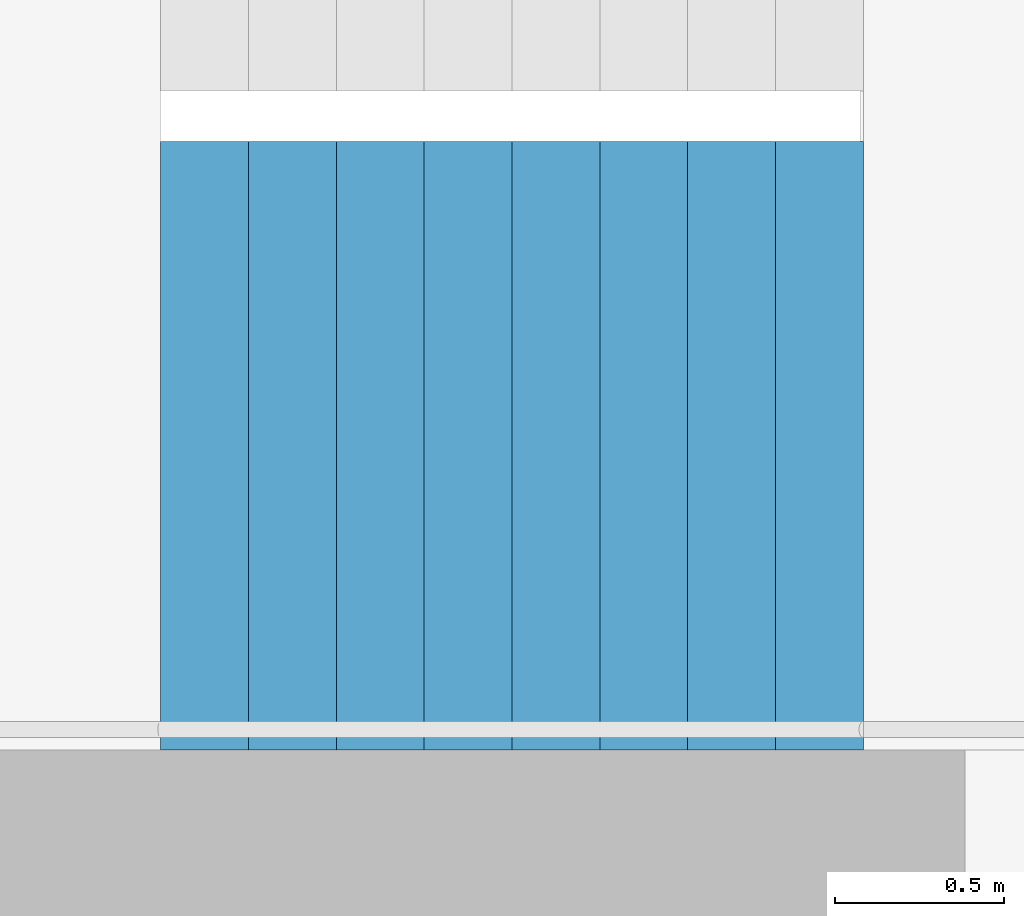
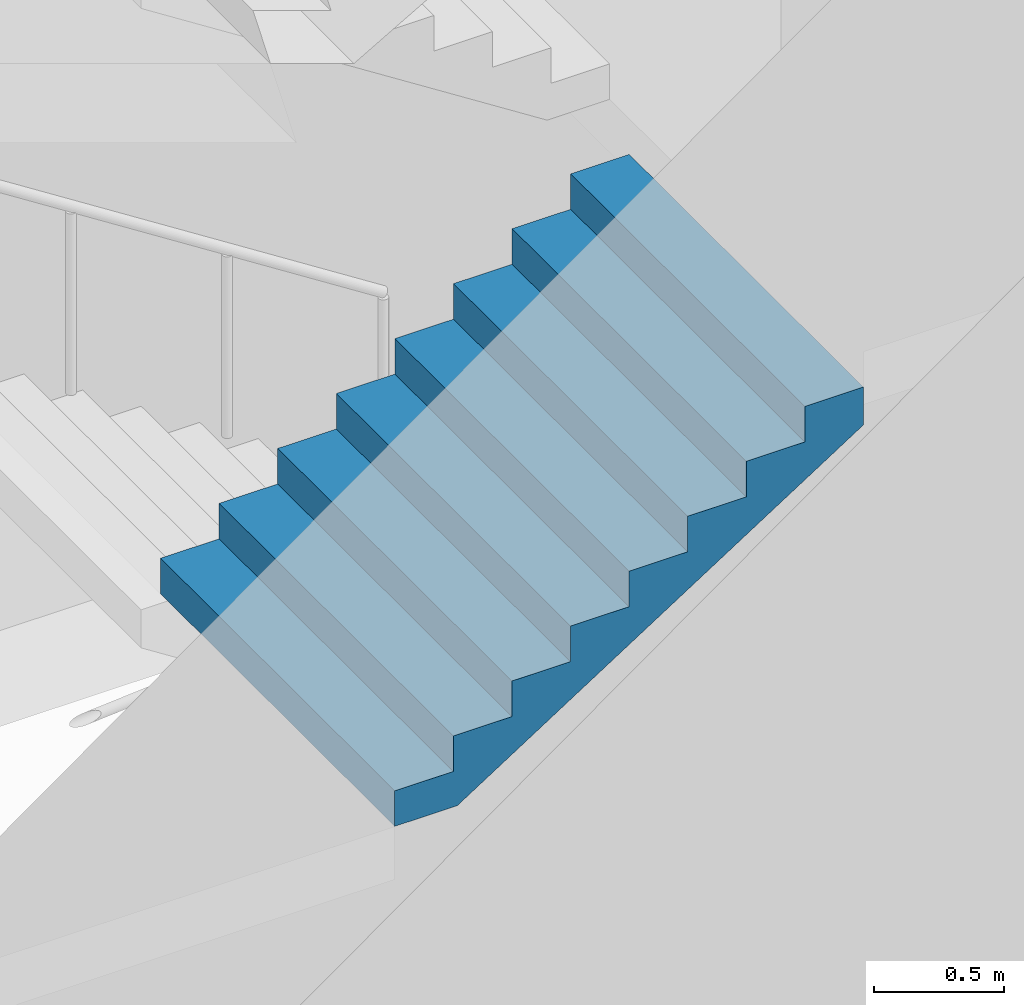
# One storey, part 18 of 35: 1 stair flight, 1 element without a shape of its own.
"""IFC4 building model written with IfcOpenShell, lengths in metres."""

import ifcopenshell
import ifcopenshell.guid

model = None  # the IFC model being written
_history = None  # IfcOwnerHistory: only IFC2X3 demands one
_inside = {}  # id of a spatial element -> (the spatial element, [elements in it])
_under = {}  # id of a project, library or spatial element -> (it, [spatial elements below it])
_declared = {}  # id of a project -> (the project, [libraries it declares])
_typed = {}  # id of a type object -> (the type object, [elements of that type])
_made_of = {}  # id of a material, layer set ... -> (it, [elements and type objects made of it])


def new_model(schema):
    """Start an empty IFC model of exactly this schema.

    Asked for "IFC4X3", IfcOpenShell would pick the latest addendum, in which some entities
    have other attributes; the version numbers below select the first issue.
    IFC2X3 requires an IfcOwnerHistory on every rooted entity: one is made here for all.
    """
    global model, _history
    if schema == "IFC4X3":
        model = ifcopenshell.file(schema_version=(4, 3, 0, 0))
    else:
        model = ifcopenshell.file(schema=schema)
    _inside.clear()
    _under.clear()
    _declared.clear()
    _typed.clear()
    _made_of.clear()
    _history = None
    if model.schema == "IFC2X3":
        org = make("IfcOrganization", Name="unknown")
        user = make(
            "IfcPersonAndOrganization",
            ThePerson=make("IfcPerson", FamilyName="unknown"),
            TheOrganization=org,
        )
        app = make(
            "IfcApplication",
            ApplicationDeveloper=org,
            Version="unknown",
            ApplicationFullName="unknown",
            ApplicationIdentifier="unknown",
        )
        _history = make(
            "IfcOwnerHistory",
            OwningUser=user,
            OwningApplication=app,
            ChangeAction="ADDED",
            CreationDate=0,
        )
    return model


def make(cls, **values):
    """One entity of the class cls with the attributes given. An attribute that is None is left unset."""
    return model.create_entity(
        cls, **{name: value for name, value in values.items() if value is not None}
    )


def rooted(cls, **values):
    """An entity with a GlobalId (a new one), such as an element, a storey or a relation."""
    return make(cls, GlobalId=ifcopenshell.guid.new(), OwnerHistory=_history, **values)


def si_unit(unit_type, name, prefix=None):
    """IfcSIUnit, for example si_unit("LENGTHUNIT", "METRE", prefix="MILLI")."""
    return make("IfcSIUnit", UnitType=unit_type, Prefix=prefix, Name=name)


def assignment(units):
    """IfcUnitAssignment: the units of a project."""
    return None if units is None else make("IfcUnitAssignment", Units=units)


def point(xyz):
    """IfcCartesianPoint."""
    return None if xyz is None else make("IfcCartesianPoint", Coordinates=xyz)


def direction(xyz):
    """IfcDirection."""
    return None if xyz is None else make("IfcDirection", DirectionRatios=xyz)


def frame(location, z_axis=None, x_axis=None):
    """IfcAxis2Placement3D, a coordinate frame: its origin and axes. An axis left out is left unset."""
    return make(
        "IfcAxis2Placement3D",
        Location=point(location),
        Axis=direction(z_axis),
        RefDirection=direction(x_axis),
    )


def origin():
    """The frame at (0, 0, 0) with its axes left unset."""
    return frame((0.0, 0.0, 0.0))


def place(relative_to, where):
    """IfcLocalPlacement: puts the frame where relative to a parent placement (None: the world)."""
    return make(
        "IfcLocalPlacement", PlacementRelTo=relative_to, RelativePlacement=where
    )


def context(
    kind, dimensions, precision=None, world=None, true_north=None, identifier=None
):
    """IfcGeometricRepresentationContext, for example the 3D "Model" context."""
    return make(
        "IfcGeometricRepresentationContext",
        ContextIdentifier=identifier,
        ContextType=kind,
        CoordinateSpaceDimension=dimensions,
        Precision=precision,
        WorldCoordinateSystem=world,
        TrueNorth=true_north,
    )


def subcontext(parent, identifier, kind, view, scale=None):
    """IfcGeometricRepresentationSubContext, for example "Body" below "Model"."""
    return make(
        "IfcGeometricRepresentationSubContext",
        ContextIdentifier=identifier,
        ContextType=kind,
        ParentContext=parent,
        TargetScale=scale,
        TargetView=view,
    )


def project(units=None, contexts=None):
    """IfcProject with its units and contexts."""
    return rooted(
        "IfcProject",
        Name="project",
        RepresentationContexts=contexts,
        UnitsInContext=assignment(units),
    )


def spatial(cls, under=None, at=None, **own):
    """A site, building, storey or space (cls), placed at a placement, below another one or the project."""
    s = rooted(cls, ObjectPlacement=at, **own)
    if under is not None:
        _under.setdefault(under.id(), (under, []))[1].append(s)
    return s


def point_list(points):
    """IfcCartesianPointList2D or 3D."""
    cls = (
        "IfcCartesianPointList2D" if len(points[0]) == 2 else "IfcCartesianPointList3D"
    )
    return make(cls, CoordList=points)


def triangles(points, corners, closed=None, point_numbers=None):
    """IfcTriangulatedFaceSet: each triangle names its three corners, points numbered from 1."""
    return make(
        "IfcTriangulatedFaceSet",
        Coordinates=point_list(points),
        Closed=closed,
        CoordIndex=corners,
        PnIndex=point_numbers,
    )


def shape(context_of_items, identifier, shape_type, items):
    """IfcShapeRepresentation: the items that make up one representation, for example the "Body"."""
    return make(
        "IfcShapeRepresentation",
        ContextOfItems=context_of_items,
        RepresentationIdentifier=identifier,
        RepresentationType=shape_type,
        Items=items,
    )


def material(Name=None, Category=None):
    """IfcMaterial."""
    return make("IfcMaterial", Name=Name, Category=Category)


def made_of(thing, what):
    """Note that an element or type object is made of a material, layer set ...; save() writes the relation."""
    if what is not None:
        _made_of.setdefault(what.id(), (what, []))[1].append(thing)
    return thing


def type_object(cls, material=None, **own):
    """A type object (cls), such as IfcWallType, which elements share."""
    return made_of(rooted(cls, **own), material)


def element(
    cls,
    number,
    at=None,
    inside=None,
    cuts=None,
    type_object=None,
    material=None,
    context=None,
    identifier="Body",
    shape_type=None,
    held_by="IfcProductDefinitionShape",
    body=None,
    shapes=None,
    **own,
):
    """One element of the class cls, such as IfcWall. Its Tag is "e" and its number.

    at: its placement. inside: the storey or other place that contains it. cuts: it is an
    opening in that element (IfcRelVoidsElement). A single representation is given by context,
    identifier, shape_type and body (its items); several are given by shapes. held_by: the class
    of the entity that holds the representations. save() writes the other relations.
    """
    e = rooted(cls, Tag="e%d" % number, ObjectPlacement=at, **own)
    if body is not None:
        shapes = [shape(context, identifier, shape_type, body)]
    if shapes is not None:
        e.Representation = make(held_by, Representations=shapes)
    if inside is not None:
        _inside.setdefault(inside.id(), (inside, []))[1].append(e)
    if cuts is not None:
        rooted(
            "IfcRelVoidsElement", RelatingBuildingElement=cuts, RelatedOpeningElement=e
        )
    if type_object is not None:
        _typed.setdefault(type_object.id(), (type_object, []))[1].append(e)
    return made_of(e, material)


def aggregate(whole, parts):
    """IfcRelAggregates: a whole, such as a stair, and the parts it consists of."""
    return rooted("IfcRelAggregates", RelatingObject=whole, RelatedObjects=parts)


def save(model, path):
    """Write the relations noted so far, then the file.

    IfcRelAggregates (storeys below a building ...), IfcRelContainedInSpatialStructure (elements
    in a storey), IfcRelDefinesByType, IfcRelAssociatesMaterial and IfcRelDeclares: one each for
    every whole, place, type object, material and project.
    """
    for whole, parts in _under.values():
        aggregate(whole, parts)
    for where, things in _inside.values():
        rooted(
            "IfcRelContainedInSpatialStructure",
            RelatedElements=things,
            RelatingStructure=where,
        )
    for kind, things in _typed.values():
        rooted("IfcRelDefinesByType", RelatedObjects=things, RelatingType=kind)
    for what, things in _made_of.values():
        rooted("IfcRelAssociatesMaterial", RelatedObjects=things, RelatingMaterial=what)
    for by, libraries in _declared.values():
        rooted("IfcRelDeclares", RelatingContext=by, RelatedDefinitions=libraries)
    model.write(path)


model = new_model("IFC4")

# Units and contexts
model_context = context("Model", 3, precision=1e-05, world=origin(), true_north=direction((0.0, 1.0)))
body_context = subcontext(model_context, "Body", "Model", "MODEL_VIEW")
ifc_project = project(units=[si_unit("LENGTHUNIT", "METRE"), si_unit("AREAUNIT", "SQUARE_METRE"), si_unit("VOLUMEUNIT", "CUBIC_METRE"), si_unit("PLANEANGLEUNIT", "RADIAN"), si_unit("MASSUNIT", "GRAM", prefix="KILO")], contexts=[model_context])

# Site, building, storey
site_placement = place(None, origin())
site = spatial("IfcSite", under=ifc_project, at=site_placement, CompositionType="ELEMENT")
building_placement = place(site_placement, origin())
building = spatial("IfcBuilding", under=site, at=building_placement, Name="Hakoniwa Tower and Hamabe Station Hall", CompositionType="ELEMENT")
storey_placement = place(building_placement, frame((0.0, 0.0, 270.60009765625)))
storey = spatial("IfcBuildingStorey", under=building, at=storey_placement, Name="L76", CompositionType="ELEMENT", Elevation=270.60009765625)

# Stair, stair flight
ifc_material_1 = material(Name="Concrete C40", Category="concrete")
stair_type = type_object("IfcStairType", Name="ESCAPE STAIR 1800", PredefinedType="HALF_TURN_STAIR", material=ifc_material_1)
stair_placement = place(storey_placement, origin())
stair = element("IfcStair", 1, at=stair_placement, inside=storey, type_object=stair_type, Name="Escape stair ST-2 L76", PredefinedType="HALF_TURN_STAIR")
ifc_material_2 = material(Name="Concrete C40", Category="concrete")
stair_flight_type = type_object("IfcStairFlightType", Name="STAIR FLIGHT 1800", PredefinedType="STRAIGHT", material=ifc_material_2)
stair_flight_placement = place(storey_placement, frame((-25.47998046875, -6.60009765625, 1.5), z_axis=(0.0, 0.0, 1.0), x_axis=(1.0, 0.0, 0.0)))
stair_flight = element("IfcStairFlight", 2, at=stair_flight_placement, type_object=stair_flight_type, Name="ST-2 flight 2", NumberOfRisers=9, NumberOfTreads=8, PredefinedType="STRAIGHT", RiserHeight=0.166666667, TreadLength=0.26, context=body_context, shape_type="Tessellation", body=[
    triangles([(0.0, 0.89990234375, 0.0), (0.260009765625, 0.89990234375, 0.0), (0.27783203125, 0.89990234375, 0.0), (0.52001953125, 0.89990234375, 0.1552734375), (0.780029296875, 0.89990234375, 0.322021484375), (1.0400390625, 0.89990234375, 0.488525390625), (1.300048828125, 0.89990234375, 0.6552734375), (1.56005859375, 0.89990234375, 0.822021484375), (1.820068359375, 0.89990234375, 0.988525390625), (2.080078125, 0.89990234375, 1.1552734375), (2.080078125, 0.89990234375, 1.333251953125), (1.820068359375, 0.89990234375, 1.333251953125), (1.820068359375, 0.89990234375, 1.166748046875), (1.56005859375, 0.89990234375, 1.166748046875), (1.56005859375, 0.89990234375, 1.0), (1.300048828125, 0.89990234375, 1.0), (1.300048828125, 0.89990234375, 0.833251953125), (1.0400390625, 0.89990234375, 0.833251953125), (1.0400390625, 0.89990234375, 0.666748046875), (0.780029296875, 0.89990234375, 0.666748046875), (0.780029296875, 0.89990234375, 0.5), (0.52001953125, 0.89990234375, 0.5), (0.52001953125, 0.89990234375, 0.333251953125), (0.27783203125, 0.89990234375, 0.333251953125), (0.260009765625, 0.89990234375, 0.333251953125), (0.260009765625, 0.89990234375, 0.166748046875), (0.0, 0.89990234375, 0.166748046875), (0.0, 0.06005859375, 0.0), (0.260009765625, 0.06005859375, 0.0), (0.27783203125, 0.06005859375, 0.0), (0.52001953125, 0.06005859375, 0.1552734375), (0.780029296875, 0.06005859375, 0.322021484375), (1.0400390625, 0.06005859375, 0.488525390625), (1.300048828125, 0.06005859375, 0.6552734375), (1.56005859375, 0.06005859375, 0.822021484375), (1.820068359375, 0.06005859375, 0.988525390625), (2.080078125, 0.06005859375, 1.1552734375), (2.080078125, 0.06005859375, 1.333251953125), (1.820068359375, 0.06005859375, 1.333251953125), (1.820068359375, 0.06005859375, 1.166748046875), (1.56005859375, 0.06005859375, 1.166748046875), (1.56005859375, 0.06005859375, 1.0), (1.300048828125, 0.06005859375, 1.0), (1.300048828125, 0.06005859375, 0.833251953125), (1.0400390625, 0.06005859375, 0.833251953125), (1.0400390625, 0.06005859375, 0.666748046875), (0.780029296875, 0.06005859375, 0.666748046875), (0.780029296875, 0.06005859375, 0.5), (0.52001953125, 0.06005859375, 0.5), (0.52001953125, 0.06005859375, 0.333251953125), (0.27783203125, 0.06005859375, 0.333251953125), (0.260009765625, 0.06005859375, 0.333251953125), (0.260009765625, 0.06005859375, 0.166748046875), (0.0, 0.06005859375, 0.166748046875), (0.0, 0.04296875, 0.0), (0.260009765625, 0.04296875, 0.0), (0.27783203125, 0.04296875, 0.0), (0.52001953125, 0.04296875, 0.1552734375), (0.780029296875, 0.04296875, 0.322021484375), (1.0400390625, 0.04296875, 0.488525390625), (1.300048828125, 0.04296875, 0.6552734375), (1.56005859375, 0.04296875, 0.822021484375), (1.820068359375, 0.04296875, 0.988525390625), (2.080078125, 0.04296875, 1.1552734375), (2.080078125, 0.04296875, 1.333251953125), (1.820068359375, 0.04296875, 1.333251953125), (1.820068359375, 0.04296875, 1.166748046875), (1.56005859375, 0.04296875, 1.166748046875), (1.56005859375, 0.04296875, 1.0), (1.300048828125, 0.04296875, 1.0), (1.300048828125, 0.04296875, 0.833251953125), (1.0400390625, 0.04296875, 0.833251953125), (1.0400390625, 0.04296875, 0.666748046875), (0.780029296875, 0.04296875, 0.666748046875), (0.780029296875, 0.04296875, 0.5), (0.52001953125, 0.04296875, 0.5), (0.52001953125, 0.04296875, 0.333251953125), (0.27783203125, 0.04296875, 0.333251953125), (0.260009765625, 0.04296875, 0.333251953125), (0.260009765625, 0.04296875, 0.166748046875), (0.0, 0.04296875, 0.166748046875), (0.0, 0.025634765625, 0.0), (0.260009765625, 0.025634765625, 0.0), (0.27783203125, 0.025634765625, 0.0), (0.52001953125, 0.025634765625, 0.1552734375), (0.780029296875, 0.025634765625, 0.322021484375), (1.0400390625, 0.025634765625, 0.488525390625), (1.300048828125, 0.025634765625, 0.6552734375), (1.56005859375, 0.025634765625, 0.822021484375), (1.820068359375, 0.025634765625, 0.988525390625), (2.080078125, 0.025634765625, 1.1552734375), (2.080078125, 0.025634765625, 1.333251953125), (1.820068359375, 0.025634765625, 1.333251953125), (1.820068359375, 0.025634765625, 1.166748046875), (1.56005859375, 0.025634765625, 1.166748046875), (1.56005859375, 0.025634765625, 1.0), (1.300048828125, 0.025634765625, 1.0), (1.300048828125, 0.025634765625, 0.833251953125), (1.0400390625, 0.025634765625, 0.833251953125), (1.0400390625, 0.025634765625, 0.666748046875), (0.780029296875, 0.025634765625, 0.666748046875), (0.780029296875, 0.025634765625, 0.5), (0.52001953125, 0.025634765625, 0.5), (0.52001953125, 0.025634765625, 0.333251953125), (0.27783203125, 0.025634765625, 0.333251953125), (0.260009765625, 0.025634765625, 0.333251953125), (0.260009765625, 0.025634765625, 0.166748046875), (0.0, 0.025634765625, 0.166748046875), (0.0, 0.008544921875, 0.0), (0.260009765625, 0.008544921875, 0.0), (0.27783203125, 0.008544921875, 0.0), (0.52001953125, 0.008544921875, 0.1552734375), (0.780029296875, 0.008544921875, 0.322021484375), (1.0400390625, 0.008544921875, 0.488525390625), (1.300048828125, 0.008544921875, 0.6552734375), (1.56005859375, 0.008544921875, 0.822021484375), (1.820068359375, 0.008544921875, 0.988525390625), (2.080078125, 0.008544921875, 1.1552734375), (2.080078125, 0.008544921875, 1.333251953125), (1.820068359375, 0.008544921875, 1.333251953125), (1.820068359375, 0.008544921875, 1.166748046875), (1.56005859375, 0.008544921875, 1.166748046875), (1.56005859375, 0.008544921875, 1.0), (1.300048828125, 0.008544921875, 1.0), (1.300048828125, 0.008544921875, 0.833251953125), (1.0400390625, 0.008544921875, 0.833251953125), (1.0400390625, 0.008544921875, 0.666748046875), (0.780029296875, 0.008544921875, 0.666748046875), (0.780029296875, 0.008544921875, 0.5), (0.52001953125, 0.008544921875, 0.5), (0.52001953125, 0.008544921875, 0.333251953125), (0.27783203125, 0.008544921875, 0.333251953125), (0.260009765625, 0.008544921875, 0.333251953125), (0.260009765625, 0.008544921875, 0.166748046875), (0.0, 0.008544921875, 0.166748046875), (0.0, -0.008544921875, 0.0), (0.260009765625, -0.008544921875, 0.0), (0.27783203125, -0.008544921875, 0.0), (0.52001953125, -0.008544921875, 0.1552734375), (0.780029296875, -0.008544921875, 0.322021484375), (1.0400390625, -0.008544921875, 0.488525390625), (1.300048828125, -0.008544921875, 0.6552734375), (1.56005859375, -0.008544921875, 0.822021484375), (1.820068359375, -0.008544921875, 0.988525390625), (2.080078125, -0.008544921875, 1.1552734375), (2.080078125, -0.008544921875, 1.333251953125), (1.820068359375, -0.008544921875, 1.333251953125), (1.820068359375, -0.008544921875, 1.166748046875), (1.56005859375, -0.008544921875, 1.166748046875), (1.56005859375, -0.008544921875, 1.0), (1.300048828125, -0.008544921875, 1.0), (1.300048828125, -0.008544921875, 0.833251953125), (1.0400390625, -0.008544921875, 0.833251953125), (1.0400390625, -0.008544921875, 0.666748046875), (0.780029296875, -0.008544921875, 0.666748046875), (0.780029296875, -0.008544921875, 0.5), (0.52001953125, -0.008544921875, 0.5), (0.52001953125, -0.008544921875, 0.333251953125), (0.27783203125, -0.008544921875, 0.333251953125), (0.260009765625, -0.008544921875, 0.333251953125), (0.260009765625, -0.008544921875, 0.166748046875), (0.0, -0.008544921875, 0.166748046875), (0.0, -0.025634765625, 0.0), (0.260009765625, -0.025634765625, 0.0), (0.27783203125, -0.025634765625, 0.0), (0.52001953125, -0.025634765625, 0.1552734375), (0.780029296875, -0.025634765625, 0.322021484375), (1.0400390625, -0.025634765625, 0.488525390625), (1.300048828125, -0.025634765625, 0.6552734375), (1.56005859375, -0.025634765625, 0.822021484375), (1.820068359375, -0.025634765625, 0.988525390625), (2.080078125, -0.025634765625, 1.1552734375), (2.080078125, -0.025634765625, 1.333251953125), (1.820068359375, -0.025634765625, 1.333251953125), (1.820068359375, -0.025634765625, 1.166748046875), (1.56005859375, -0.025634765625, 1.166748046875), (1.56005859375, -0.025634765625, 1.0), (1.300048828125, -0.025634765625, 1.0), (1.300048828125, -0.025634765625, 0.833251953125), (1.0400390625, -0.025634765625, 0.833251953125), (1.0400390625, -0.025634765625, 0.666748046875), (0.780029296875, -0.025634765625, 0.666748046875), (0.780029296875, -0.025634765625, 0.5), (0.52001953125, -0.025634765625, 0.5), (0.52001953125, -0.025634765625, 0.333251953125), (0.27783203125, -0.025634765625, 0.333251953125), (0.260009765625, -0.025634765625, 0.333251953125), (0.260009765625, -0.025634765625, 0.166748046875), (0.0, -0.025634765625, 0.166748046875), (0.0, -0.04296875, 0.0), (0.260009765625, -0.04296875, 0.0), (0.27783203125, -0.04296875, 0.0), (0.52001953125, -0.04296875, 0.1552734375), (0.780029296875, -0.04296875, 0.322021484375), (1.0400390625, -0.04296875, 0.488525390625), (1.300048828125, -0.04296875, 0.6552734375), (1.56005859375, -0.04296875, 0.822021484375), (1.820068359375, -0.04296875, 0.988525390625), (2.080078125, -0.04296875, 1.1552734375), (2.080078125, -0.04296875, 1.333251953125), (1.820068359375, -0.04296875, 1.333251953125), (1.820068359375, -0.04296875, 1.166748046875), (1.56005859375, -0.04296875, 1.166748046875), (1.56005859375, -0.04296875, 1.0), (1.300048828125, -0.04296875, 1.0), (1.300048828125, -0.04296875, 0.833251953125), (1.0400390625, -0.04296875, 0.833251953125), (1.0400390625, -0.04296875, 0.666748046875), (0.780029296875, -0.04296875, 0.666748046875), (0.780029296875, -0.04296875, 0.5), (0.52001953125, -0.04296875, 0.5), (0.52001953125, -0.04296875, 0.333251953125), (0.27783203125, -0.04296875, 0.333251953125), (0.260009765625, -0.04296875, 0.333251953125), (0.260009765625, -0.04296875, 0.166748046875), (0.0, -0.04296875, 0.166748046875), (0.0, -0.06005859375, 0.0), (0.260009765625, -0.06005859375, 0.0), (0.27783203125, -0.06005859375, 0.0), (0.52001953125, -0.06005859375, 0.1552734375), (0.780029296875, -0.06005859375, 0.322021484375), (1.0400390625, -0.06005859375, 0.488525390625), (1.300048828125, -0.06005859375, 0.6552734375), (1.56005859375, -0.06005859375, 0.822021484375), (1.820068359375, -0.06005859375, 0.988525390625), (2.080078125, -0.06005859375, 1.1552734375), (2.080078125, -0.06005859375, 1.333251953125), (1.820068359375, -0.06005859375, 1.333251953125), (1.820068359375, -0.06005859375, 1.166748046875), (1.56005859375, -0.06005859375, 1.166748046875), (1.56005859375, -0.06005859375, 1.0), (1.300048828125, -0.06005859375, 1.0), (1.300048828125, -0.06005859375, 0.833251953125), (1.0400390625, -0.06005859375, 0.833251953125), (1.0400390625, -0.06005859375, 0.666748046875), (0.780029296875, -0.06005859375, 0.666748046875), (0.780029296875, -0.06005859375, 0.5), (0.52001953125, -0.06005859375, 0.5), (0.52001953125, -0.06005859375, 0.333251953125), (0.27783203125, -0.06005859375, 0.333251953125), (0.260009765625, -0.06005859375, 0.333251953125), (0.260009765625, -0.06005859375, 0.166748046875), (0.0, -0.06005859375, 0.166748046875), (0.0, -0.89990234375, 0.0), (0.260009765625, -0.89990234375, 0.0), (0.27783203125, -0.89990234375, 0.0), (0.52001953125, -0.89990234375, 0.1552734375), (0.780029296875, -0.89990234375, 0.322021484375), (1.0400390625, -0.89990234375, 0.488525390625), (1.300048828125, -0.89990234375, 0.6552734375), (1.56005859375, -0.89990234375, 0.822021484375), (1.820068359375, -0.89990234375, 0.988525390625), (2.080078125, -0.89990234375, 1.1552734375), (2.080078125, -0.89990234375, 1.333251953125), (1.820068359375, -0.89990234375, 1.333251953125), (1.820068359375, -0.89990234375, 1.166748046875), (1.56005859375, -0.89990234375, 1.166748046875), (1.56005859375, -0.89990234375, 1.0), (1.300048828125, -0.89990234375, 1.0), (1.300048828125, -0.89990234375, 0.833251953125), (1.0400390625, -0.89990234375, 0.833251953125), (1.0400390625, -0.89990234375, 0.666748046875), (0.780029296875, -0.89990234375, 0.666748046875), (0.780029296875, -0.89990234375, 0.5), (0.52001953125, -0.89990234375, 0.5), (0.52001953125, -0.89990234375, 0.333251953125), (0.27783203125, -0.89990234375, 0.333251953125), (0.260009765625, -0.89990234375, 0.333251953125), (0.260009765625, -0.89990234375, 0.166748046875), (0.0, -0.89990234375, 0.166748046875)], [[2, 27, 26], [245, 269, 270], [2, 1, 27], [245, 270, 244], [3, 25, 24], [246, 267, 268], [3, 26, 25], [246, 268, 269], [3, 2, 26], [246, 269, 245], [4, 24, 23], [247, 266, 267], [4, 3, 24], [247, 267, 246], [5, 22, 21], [248, 264, 265], [5, 23, 22], [248, 265, 266], [5, 4, 23], [248, 266, 247], [6, 20, 19], [249, 262, 263], [6, 21, 20], [249, 263, 264], [6, 5, 21], [249, 264, 248], [7, 18, 17], [250, 260, 261], [7, 19, 18], [250, 261, 262], [7, 6, 19], [250, 262, 249], [8, 16, 15], [251, 258, 259], [8, 17, 16], [251, 259, 260], [8, 7, 17], [251, 260, 250], [9, 14, 13], [252, 256, 257], [9, 15, 14], [252, 257, 258], [9, 8, 15], [252, 258, 251], [10, 12, 11], [253, 254, 255], [10, 13, 12], [253, 255, 256], [10, 9, 13], [253, 256, 252], [1, 2, 29], [1, 29, 28], [28, 29, 56], [28, 56, 55], [55, 56, 83], [55, 83, 82], [82, 83, 110], [82, 110, 109], [109, 110, 137], [109, 137, 136], [136, 137, 164], [136, 164, 163], [163, 164, 191], [163, 191, 190], [190, 191, 218], [190, 218, 217], [217, 218, 245], [217, 245, 244], [2, 3, 30], [2, 30, 29], [29, 30, 57], [29, 57, 56], [56, 57, 84], [56, 84, 83], [83, 84, 111], [83, 111, 110], [110, 111, 138], [110, 138, 137], [137, 138, 165], [137, 165, 164], [164, 165, 192], [164, 192, 191], [191, 192, 219], [191, 219, 218], [218, 219, 246], [218, 246, 245], [3, 4, 31], [3, 31, 30], [30, 31, 58], [30, 58, 57], [57, 58, 85], [57, 85, 84], [84, 85, 112], [84, 112, 111], [111, 112, 139], [111, 139, 138], [138, 139, 166], [138, 166, 165], [165, 166, 193], [165, 193, 192], [192, 193, 220], [192, 220, 219], [219, 220, 247], [219, 247, 246], [4, 5, 32], [4, 32, 31], [31, 32, 59], [31, 59, 58], [58, 59, 86], [58, 86, 85], [85, 86, 113], [85, 113, 112], [112, 113, 140], [112, 140, 139], [139, 140, 167], [139, 167, 166], [166, 167, 194], [166, 194, 193], [193, 194, 221], [193, 221, 220], [220, 221, 248], [220, 248, 247], [5, 6, 33], [5, 33, 32], [32, 33, 60], [32, 60, 59], [59, 60, 87], [59, 87, 86], [86, 87, 114], [86, 114, 113], [113, 114, 141], [113, 141, 140], [140, 141, 168], [140, 168, 167], [167, 168, 195], [167, 195, 194], [194, 195, 222], [194, 222, 221], [221, 222, 249], [221, 249, 248], [6, 7, 34], [6, 34, 33], [33, 34, 61], [33, 61, 60], [60, 61, 88], [60, 88, 87], [87, 88, 115], [87, 115, 114], [114, 115, 142], [114, 142, 141], [141, 142, 169], [141, 169, 168], [168, 169, 196], [168, 196, 195], [195, 196, 223], [195, 223, 222], [222, 223, 250], [222, 250, 249], [7, 8, 35], [7, 35, 34], [34, 35, 62], [34, 62, 61], [61, 62, 89], [61, 89, 88], [88, 89, 116], [88, 116, 115], [115, 116, 143], [115, 143, 142], [142, 143, 170], [142, 170, 169], [169, 170, 197], [169, 197, 196], [196, 197, 224], [196, 224, 223], [223, 224, 251], [223, 251, 250], [8, 9, 36], [8, 36, 35], [35, 36, 63], [35, 63, 62], [62, 63, 90], [62, 90, 89], [89, 90, 117], [89, 117, 116], [116, 117, 144], [116, 144, 143], [143, 144, 171], [143, 171, 170], [170, 171, 198], [170, 198, 197], [197, 198, 225], [197, 225, 224], [224, 225, 252], [224, 252, 251], [9, 10, 37], [9, 37, 36], [36, 37, 64], [36, 64, 63], [63, 64, 91], [63, 91, 90], [90, 91, 118], [90, 118, 117], [117, 118, 145], [117, 145, 144], [144, 145, 172], [144, 172, 171], [171, 172, 199], [171, 199, 198], [198, 199, 226], [198, 226, 225], [225, 226, 253], [225, 253, 252], [10, 11, 38], [10, 38, 37], [37, 38, 65], [37, 65, 64], [64, 65, 92], [64, 92, 91], [91, 92, 119], [91, 119, 118], [118, 119, 146], [118, 146, 145], [145, 146, 173], [145, 173, 172], [172, 173, 200], [172, 200, 199], [199, 200, 227], [199, 227, 226], [226, 227, 254], [226, 254, 253], [11, 12, 39], [11, 39, 38], [38, 39, 66], [38, 66, 65], [65, 66, 93], [65, 93, 92], [92, 93, 120], [92, 120, 119], [119, 120, 147], [119, 147, 146], [146, 147, 174], [146, 174, 173], [173, 174, 201], [173, 201, 200], [200, 201, 228], [200, 228, 227], [227, 228, 255], [227, 255, 254], [12, 13, 40], [12, 40, 39], [39, 40, 67], [39, 67, 66], [66, 67, 94], [66, 94, 93], [93, 94, 121], [93, 121, 120], [120, 121, 148], [120, 148, 147], [147, 148, 175], [147, 175, 174], [174, 175, 202], [174, 202, 201], [201, 202, 229], [201, 229, 228], [228, 229, 256], [228, 256, 255], [13, 14, 41], [13, 41, 40], [40, 41, 68], [40, 68, 67], [67, 68, 95], [67, 95, 94], [94, 95, 122], [94, 122, 121], [121, 122, 149], [121, 149, 148], [148, 149, 176], [148, 176, 175], [175, 176, 203], [175, 203, 202], [202, 203, 230], [202, 230, 229], [229, 230, 257], [229, 257, 256], [14, 15, 42], [14, 42, 41], [41, 42, 69], [41, 69, 68], [68, 69, 96], [68, 96, 95], [95, 96, 123], [95, 123, 122], [122, 123, 150], [122, 150, 149], [149, 150, 177], [149, 177, 176], [176, 177, 204], [176, 204, 203], [203, 204, 231], [203, 231, 230], [230, 231, 258], [230, 258, 257], [15, 16, 43], [15, 43, 42], [42, 43, 70], [42, 70, 69], [69, 70, 97], [69, 97, 96], [96, 97, 124], [96, 124, 123], [123, 124, 151], [123, 151, 150], [150, 151, 178], [150, 178, 177], [177, 178, 205], [177, 205, 204], [204, 205, 232], [204, 232, 231], [231, 232, 259], [231, 259, 258], [16, 17, 44], [16, 44, 43], [43, 44, 71], [43, 71, 70], [70, 71, 98], [70, 98, 97], [97, 98, 125], [97, 125, 124], [124, 125, 152], [124, 152, 151], [151, 152, 179], [151, 179, 178], [178, 179, 206], [178, 206, 205], [205, 206, 233], [205, 233, 232], [232, 233, 260], [232, 260, 259], [17, 18, 45], [17, 45, 44], [44, 45, 72], [44, 72, 71], [71, 72, 99], [71, 99, 98], [98, 99, 126], [98, 126, 125], [125, 126, 153], [125, 153, 152], [152, 153, 180], [152, 180, 179], [179, 180, 207], [179, 207, 206], [206, 207, 234], [206, 234, 233], [233, 234, 261], [233, 261, 260], [18, 19, 46], [18, 46, 45], [45, 46, 73], [45, 73, 72], [72, 73, 100], [72, 100, 99], [99, 100, 127], [99, 127, 126], [126, 127, 154], [126, 154, 153], [153, 154, 181], [153, 181, 180], [180, 181, 208], [180, 208, 207], [207, 208, 235], [207, 235, 234], [234, 235, 262], [234, 262, 261], [19, 20, 47], [19, 47, 46], [46, 47, 74], [46, 74, 73], [73, 74, 101], [73, 101, 100], [100, 101, 128], [100, 128, 127], [127, 128, 155], [127, 155, 154], [154, 155, 182], [154, 182, 181], [181, 182, 209], [181, 209, 208], [208, 209, 236], [208, 236, 235], [235, 236, 263], [235, 263, 262], [20, 21, 48], [20, 48, 47], [47, 48, 75], [47, 75, 74], [74, 75, 102], [74, 102, 101], [101, 102, 129], [101, 129, 128], [128, 129, 156], [128, 156, 155], [155, 156, 183], [155, 183, 182], [182, 183, 210], [182, 210, 209], [209, 210, 237], [209, 237, 236], [236, 237, 264], [236, 264, 263], [21, 22, 49], [21, 49, 48], [48, 49, 76], [48, 76, 75], [75, 76, 103], [75, 103, 102], [102, 103, 130], [102, 130, 129], [129, 130, 157], [129, 157, 156], [156, 157, 184], [156, 184, 183], [183, 184, 211], [183, 211, 210], [210, 211, 238], [210, 238, 237], [237, 238, 265], [237, 265, 264], [22, 23, 50], [22, 50, 49], [49, 50, 77], [49, 77, 76], [76, 77, 104], [76, 104, 103], [103, 104, 131], [103, 131, 130], [130, 131, 158], [130, 158, 157], [157, 158, 185], [157, 185, 184], [184, 185, 212], [184, 212, 211], [211, 212, 239], [211, 239, 238], [238, 239, 266], [238, 266, 265], [23, 24, 51], [23, 51, 50], [50, 51, 78], [50, 78, 77], [77, 78, 105], [77, 105, 104], [104, 105, 132], [104, 132, 131], [131, 132, 159], [131, 159, 158], [158, 159, 186], [158, 186, 185], [185, 186, 213], [185, 213, 212], [212, 213, 240], [212, 240, 239], [239, 240, 267], [239, 267, 266], [24, 25, 52], [24, 52, 51], [51, 52, 79], [51, 79, 78], [78, 79, 106], [78, 106, 105], [105, 106, 133], [105, 133, 132], [132, 133, 160], [132, 160, 159], [159, 160, 187], [159, 187, 186], [186, 187, 214], [186, 214, 213], [213, 214, 241], [213, 241, 240], [240, 241, 268], [240, 268, 267], [25, 26, 53], [25, 53, 52], [52, 53, 80], [52, 80, 79], [79, 80, 107], [79, 107, 106], [106, 107, 134], [106, 134, 133], [133, 134, 161], [133, 161, 160], [160, 161, 188], [160, 188, 187], [187, 188, 215], [187, 215, 214], [214, 215, 242], [214, 242, 241], [241, 242, 269], [241, 269, 268], [26, 27, 54], [26, 54, 53], [53, 54, 81], [53, 81, 80], [80, 81, 108], [80, 108, 107], [107, 108, 135], [107, 135, 134], [134, 135, 162], [134, 162, 161], [161, 162, 189], [161, 189, 188], [188, 189, 216], [188, 216, 215], [215, 216, 243], [215, 243, 242], [242, 243, 270], [242, 270, 269], [27, 1, 28], [27, 28, 54], [54, 28, 55], [54, 55, 81], [81, 55, 82], [81, 82, 108], [108, 82, 109], [108, 109, 135], [135, 109, 136], [135, 136, 162], [162, 136, 163], [162, 163, 189], [189, 163, 190], [189, 190, 216], [216, 190, 217], [216, 217, 243], [243, 217, 244], [243, 244, 270]], closed=True),
])
aggregate(stair, [stair_flight])

save(model, "model.ifc")
